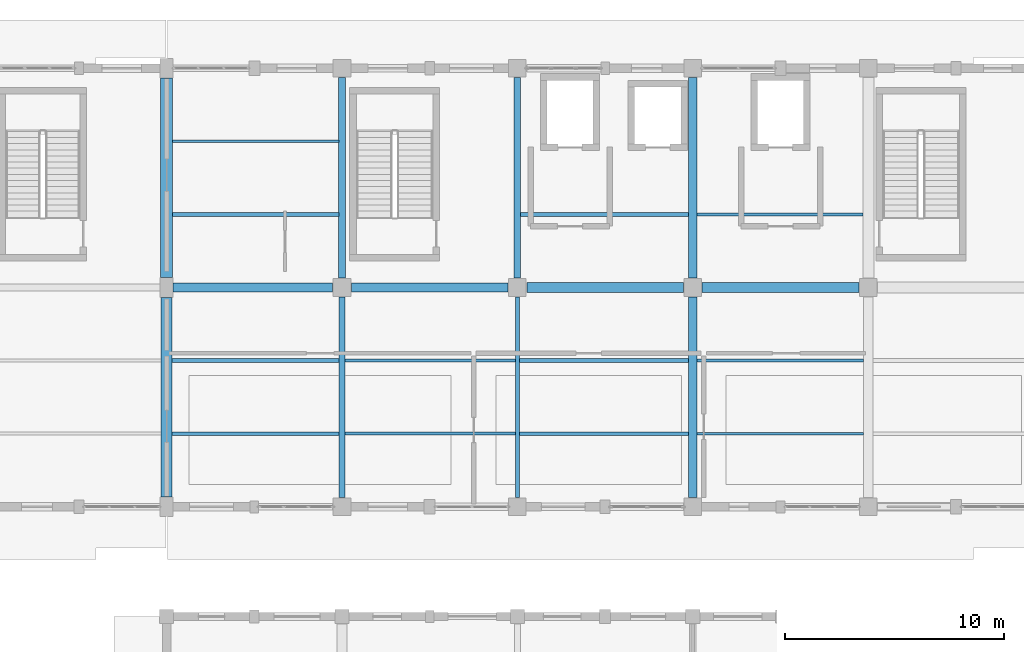
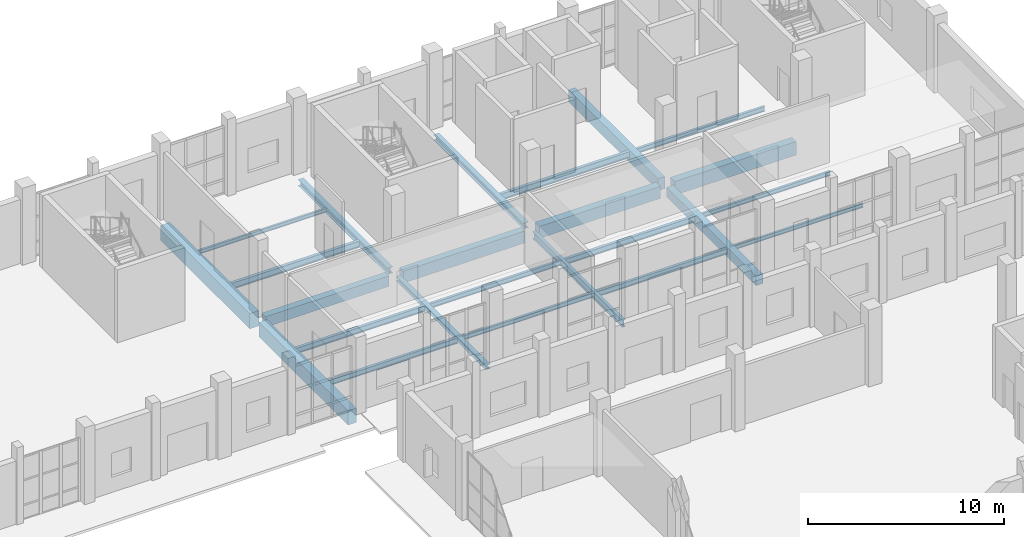
# One storey, part 97 of 156: 24 beams.
"""IFC4 building model written with IfcOpenShell, lengths in metres."""

from ifc_helpers import new_model, si_unit, direction, frame, origin, origin_2d, place, context, subcontext, project, spatial, rectangle, i_section, extrude, material, material_profile, profile_set, type_object, element, save


model = new_model("IFC4")

# Units and contexts
model_context = context("Model", 3, precision=1e-05, world=origin(), true_north=direction((0.0, 1.0)))
body_context = subcontext(model_context, "Body", "Model", "MODEL_VIEW")
ifc_project = project(units=[si_unit("LENGTHUNIT", "METRE"), si_unit("AREAUNIT", "SQUARE_METRE"), si_unit("VOLUMEUNIT", "CUBIC_METRE"), si_unit("PLANEANGLEUNIT", "RADIAN"), si_unit("MASSUNIT", "GRAM", prefix="KILO")], contexts=[model_context])

# Site, building, storey
site_placement = place(None, origin())
site = spatial("IfcSite", under=ifc_project, at=site_placement, CompositionType="ELEMENT")
building_placement = place(site_placement, origin())
building = spatial("IfcBuilding", under=site, at=building_placement, Name="Luwemba Playhouse", CompositionType="ELEMENT")
storey_placement = place(building_placement, origin())
storey = spatial("IfcBuildingStorey", under=building, at=storey_placement, Name="L00", CompositionType="ELEMENT", Elevation=0.0)

# Beams
ifc_material_1 = material(Name="Concrete C40/50", Category="concrete")
ifc_material_profile_1 = material_profile(ifc_material_1, rectangle(XDim=0.39990234375, YDim=0.60009765625, at=origin_2d()))
ifc_profile_set_1 = profile_set([ifc_material_profile_1], Name="Concrete C40/50")
beam_type_1 = type_object("IfcBeamType", Name="BM-RB01", PredefinedType="BEAM", material=ifc_profile_set_1)
beam_1_placement = place(storey_placement, frame((156.0, 95.425048828125, -0.60009765625), z_axis=(0.0, 1.0, 0.0), x_axis=(-1.0, 0.0, 0.0)))
element("IfcBeam", 1, at=beam_1_placement, inside=storey, type_object=beam_type_1, Name="L00 transverse girder 0333", PredefinedType="BEAM", context=body_context, shape_type="SweptSolid", body=[
    extrude(rectangle(XDim=0.39990234375, YDim=0.60009765625, at=origin_2d()), origin(), (0.0, 0.0, 1.0), 9.14990234375),
])
ifc_material_profile_2 = material_profile(ifc_material_1, rectangle(XDim=0.39990234375, YDim=0.64990234375, at=origin_2d()))
ifc_profile_set_2 = profile_set([ifc_material_profile_2], Name="Concrete C40/50")
beam_type_2 = type_object("IfcBeamType", Name="BM-RB02", PredefinedType="BEAM", material=ifc_profile_set_2)
beam_2_placement = place(storey_placement, frame((132.300048828125, 105.0, -0.625), z_axis=(1.0, 0.0, 0.0), x_axis=(0.0, 1.0, 0.0)))
element("IfcBeam", 2, at=beam_2_placement, inside=storey, type_object=beam_type_2, Name="L00 grid girder 0308", PredefinedType="BEAM", context=body_context, shape_type="SweptSolid", body=[
    extrude(rectangle(XDim=0.39990234375, YDim=0.64990234375, at=origin_2d()), origin(), (0.0, 0.0, 1.0), 7.27490234375),
])
ifc_material_profile_3 = material_profile(ifc_material_1, rectangle(XDim=0.39990234375, YDim=0.75, at=origin_2d()))
ifc_profile_set_3 = profile_set([ifc_material_profile_3], Name="Concrete C40/50")
beam_type_3 = type_object("IfcBeamType", Name="BM-RB03", PredefinedType="BEAM", material=ifc_profile_set_3)
beam_3_placement = place(storey_placement, frame((140.425048828125, 105.0, -0.675048828125), z_axis=(1.0, 0.0, 0.0), x_axis=(0.0, 1.0, 0.0)))
element("IfcBeam", 3, at=beam_3_placement, inside=storey, type_object=beam_type_3, Name="L00 grid girder 0309", PredefinedType="BEAM", context=body_context, shape_type="SweptSolid", body=[
    extrude(rectangle(XDim=0.39990234375, YDim=0.75, at=origin_2d()), origin(), (0.0, 0.0, 1.0), 7.14990234375),
])
beam_4_placement = place(storey_placement, frame((156.0, 105.425048828125, -0.675048828125), z_axis=(0.0, 1.0, 0.0), x_axis=(-1.0, 0.0, 0.0)))
element("IfcBeam", 4, at=beam_4_placement, inside=storey, type_object=beam_type_3, Name="L00 transverse girder 0334", PredefinedType="BEAM", context=body_context, shape_type="SweptSolid", body=[
    extrude(rectangle(XDim=0.39990234375, YDim=0.75, at=origin_2d()), origin(), (0.0, 0.0, 1.0), 9.14990234375),
])
ifc_material_profile_4 = material_profile(ifc_material_1, rectangle(XDim=0.449951171875, YDim=0.75, at=origin_2d()))
ifc_profile_set_4 = profile_set([ifc_material_profile_4], Name="Concrete C40/50")
beam_type_4 = type_object("IfcBeamType", Name="BM-RB04", PredefinedType="BEAM", material=ifc_profile_set_4)
beam_5_placement = place(storey_placement, frame((148.425048828125, 105.0, -0.675048828125), z_axis=(1.0, 0.0, 0.0), x_axis=(0.0, 1.0, 0.0)))
element("IfcBeam", 5, at=beam_5_placement, inside=storey, type_object=beam_type_4, Name="L00 grid girder 0310", PredefinedType="BEAM", context=body_context, shape_type="SweptSolid", body=[
    extrude(rectangle(XDim=0.449951171875, YDim=0.75, at=origin_2d()), origin(), (0.0, 0.0, 1.0), 7.14990234375),
])
ifc_material_profile_5 = material_profile(ifc_material_1, rectangle(XDim=0.449951171875, YDim=0.85009765625, at=origin_2d()))
ifc_profile_set_5 = profile_set([ifc_material_profile_5], Name="Concrete C40/50")
beam_type_5 = type_object("IfcBeamType", Name="BM-RB05", PredefinedType="BEAM", material=ifc_profile_set_5)
beam_6_placement = place(storey_placement, frame((156.425048828125, 105.0, -0.72509765625), z_axis=(1.0, 0.0, 0.0), x_axis=(0.0, 1.0, 0.0)))
element("IfcBeam", 6, at=beam_6_placement, inside=storey, type_object=beam_type_5, Name="L00 grid girder 0311", PredefinedType="BEAM", context=body_context, shape_type="SweptSolid", body=[
    extrude(rectangle(XDim=0.449951171875, YDim=0.85009765625, at=origin_2d()), origin(), (0.0, 0.0, 1.0), 7.14990234375),
])
ifc_material_profile_6 = material_profile(ifc_material_1, rectangle(XDim=0.5, YDim=0.89990234375, at=origin_2d()))
ifc_profile_set_6 = profile_set([ifc_material_profile_6], Name="Concrete C40/50")
beam_type_6 = type_object("IfcBeamType", Name="BM-RB07", PredefinedType="BEAM", material=ifc_profile_set_6)
beam_7_placement = place(storey_placement, frame((132.0, 95.449951171875, -0.75), z_axis=(0.0, 1.0, 0.0), x_axis=(-1.0, 0.0, 0.0)))
element("IfcBeam", 7, at=beam_7_placement, inside=storey, type_object=beam_type_6, Name="L00 transverse girder 0327", PredefinedType="BEAM", context=body_context, shape_type="SweptSolid", body=[
    extrude(rectangle(XDim=0.5, YDim=0.89990234375, at=origin_2d()), origin(), (0.0, 0.0, 1.0), 9.10009765625),
])
ifc_material_profile_7 = material_profile(ifc_material_1, rectangle(XDim=0.550048828125, YDim=0.949951171875, at=origin_2d()))
ifc_profile_set_7 = profile_set([ifc_material_profile_7], Name="Concrete C40/50")
beam_type_7 = type_object("IfcBeamType", Name="BM-RB08", PredefinedType="BEAM", material=ifc_profile_set_7)
beam_8_placement = place(storey_placement, frame((132.0, 105.449951171875, -0.77490234375), z_axis=(0.0, 1.0, 0.0), x_axis=(-1.0, 0.0, 0.0)))
element("IfcBeam", 8, at=beam_8_placement, inside=storey, type_object=beam_type_7, Name="L00 transverse girder 0328", PredefinedType="BEAM", context=body_context, shape_type="SweptSolid", body=[
    extrude(rectangle(XDim=0.550048828125, YDim=0.949951171875, at=origin_2d()), origin(), (0.0, 0.0, 1.0), 9.10009765625),
])
ifc_material_2 = material(Name="Steel S355", Category="steel")
ifc_material_profile_8 = material_profile(ifc_material_2, i_section(OverallWidth=0.280029296875, OverallDepth=0.27001953125, WebThickness=0.008056640625, FlangeThickness=0.012939453125, FilletRadius=0.02392578125, at=origin_2d()))
ifc_profile_set_8 = profile_set([ifc_material_profile_8], Name="Steel S355")
beam_type_8 = type_object("IfcBeamType", Name="BM-SB02", PredefinedType="BEAM", material=ifc_profile_set_8)
beam_9_placement = place(storey_placement, frame((140.0, 95.425048828125, -0.43505859375), z_axis=(0.0, 1.0, 0.0), x_axis=(-1.0, 0.0, 0.0)))
element("IfcBeam", 9, at=beam_9_placement, inside=storey, type_object=beam_type_8, Name="L00 transverse girder 0329", PredefinedType="BEAM", context=body_context, shape_type="SweptSolid", body=[
    extrude(i_section(OverallWidth=0.280029296875, OverallDepth=0.27001953125, WebThickness=0.008056640625, FlangeThickness=0.012939453125, FilletRadius=0.02392578125, at=origin_2d()), origin(), (0.0, 0.0, 1.0), 9.14990234375),
])
ifc_material_profile_9 = material_profile(ifc_material_2, i_section(OverallWidth=0.300048828125, OverallDepth=0.389892578125, WebThickness=0.010986328125, FlangeThickness=0.01904296875, FilletRadius=0.027099609375, at=origin_2d()))
ifc_profile_set_9 = profile_set([ifc_material_profile_9], Name="Steel S355")
beam_type_9 = type_object("IfcBeamType", Name="BM-SB05", PredefinedType="BEAM", material=ifc_profile_set_9)
beam_10_placement = place(storey_placement, frame((140.0, 105.425048828125, -0.4951171875), z_axis=(0.0, 1.0, 0.0), x_axis=(-1.0, 0.0, 0.0)))
element("IfcBeam", 10, at=beam_10_placement, inside=storey, type_object=beam_type_9, Name="L00 transverse girder 0330", PredefinedType="BEAM", context=body_context, shape_type="SweptSolid", body=[
    extrude(i_section(OverallWidth=0.300048828125, OverallDepth=0.389892578125, WebThickness=0.010986328125, FlangeThickness=0.01904296875, FilletRadius=0.027099609375, at=origin_2d()), origin(), (0.0, 0.0, 1.0), 9.14990234375),
])
ifc_material_profile_10 = material_profile(ifc_material_2, i_section(OverallWidth=0.18994140625, OverallDepth=0.449951171875, WebThickness=0.009521484375, FlangeThickness=0.0146484375, FilletRadius=0.02099609375, at=origin_2d()))
ifc_profile_set_10 = profile_set([ifc_material_profile_10], Name="Steel S355")
beam_type_10 = type_object("IfcBeamType", Name="BM-SB06", PredefinedType="BEAM", material=ifc_profile_set_10)
beam_11_placement = place(storey_placement, frame((148.0, 95.425048828125, -0.52490234375), z_axis=(0.0, 1.0, 0.0), x_axis=(-1.0, 0.0, 0.0)))
element("IfcBeam", 11, at=beam_11_placement, inside=storey, type_object=beam_type_10, Name="L00 transverse girder 0331", PredefinedType="BEAM", context=body_context, shape_type="SweptSolid", body=[
    extrude(i_section(OverallWidth=0.18994140625, OverallDepth=0.449951171875, WebThickness=0.009521484375, FlangeThickness=0.0146484375, FilletRadius=0.02099609375, at=origin_2d()), origin(), (0.0, 0.0, 1.0), 9.14990234375),
])
ifc_material_profile_11 = material_profile(ifc_material_2, i_section(OverallWidth=0.300048828125, OverallDepth=0.360107421875, WebThickness=0.012451171875, FlangeThickness=0.0224609375, FilletRadius=0.027099609375, at=origin_2d()))
ifc_profile_set_11 = profile_set([ifc_material_profile_11], Name="Steel S355")
beam_type_11 = type_object("IfcBeamType", Name="BM-SB09", PredefinedType="BEAM", material=ifc_profile_set_11)
beam_12_placement = place(storey_placement, frame((148.0, 105.425048828125, -0.47998046875), z_axis=(0.0, 1.0, 0.0), x_axis=(-1.0, 0.0, 0.0)))
element("IfcBeam", 12, at=beam_12_placement, inside=storey, type_object=beam_type_11, Name="L00 transverse girder 0332", PredefinedType="BEAM", context=body_context, shape_type="SweptSolid", body=[
    extrude(i_section(OverallWidth=0.300048828125, OverallDepth=0.360107421875, WebThickness=0.012451171875, FlangeThickness=0.0224609375, FilletRadius=0.027099609375, at=origin_2d()), origin(), (0.0, 0.0, 1.0), 9.14990234375),
])
ifc_material_profile_12 = material_profile(ifc_material_2, i_section(OverallWidth=0.1201171875, OverallDepth=0.239990234375, WebThickness=0.006103515625, FlangeThickness=0.009765625, FilletRadius=0.014892578125, at=origin_2d()))
ifc_profile_set_12 = profile_set([ifc_material_profile_12], Name="Steel S355")
beam_type_12 = type_object("IfcBeamType", Name="BM-SJ03", PredefinedType="JOIST", material=ifc_profile_set_12)
for number, where, z_axis, x_axis, name in (
    (13, (132.27099609375, 111.666748046875, -0.419921875), (1.0, 0.0, 0.0), (0.0, 1.0, 0.0), "L00 composite floor joist 0227"),
    (14, (156.196044921875, 98.333251953125, -0.419921875), (1.0, 0.0, 0.0), (0.0, 1.0, 0.0), "L00 composite floor joist 0233"),
):
    element("IfcBeam", number, at=place(storey_placement, frame(where, z_axis=z_axis, x_axis=x_axis)), inside=storey, type_object=beam_type_12, Name=name, PredefinedType="JOIST", context=body_context, shape_type="SweptSolid", body=[
        extrude(i_section(OverallWidth=0.1201171875, OverallDepth=0.239990234375, WebThickness=0.006103515625, FlangeThickness=0.009765625, FilletRadius=0.014892578125, at=origin_2d()), origin(), (0.0, 0.0, 1.0), 7.5830078125),
    ])
ifc_material_profile_13 = material_profile(ifc_material_2, i_section(OverallWidth=0.135009765625, OverallDepth=0.27001953125, WebThickness=0.006591796875, FlangeThickness=0.01025390625, FilletRadius=0.014892578125, at=origin_2d()))
ifc_profile_set_13 = profile_set([ifc_material_profile_13], Name="Steel S355")
beam_type_13 = type_object("IfcBeamType", Name="BM-SJ04", PredefinedType="JOIST", material=ifc_profile_set_13)
beam_13_placement = place(storey_placement, frame((140.135986328125, 98.333251953125, -0.43505859375), z_axis=(1.0, 0.0, 0.0), x_axis=(0.0, 1.0, 0.0)))
element("IfcBeam", 15, at=beam_13_placement, inside=storey, type_object=beam_type_13, Name="L00 composite floor joist 0228", PredefinedType="JOIST", context=body_context, shape_type="SweptSolid", body=[
    extrude(i_section(OverallWidth=0.135009765625, OverallDepth=0.27001953125, WebThickness=0.006591796875, FlangeThickness=0.01025390625, FilletRadius=0.014892578125, at=origin_2d()), origin(), (0.0, 0.0, 1.0), 7.77294921875),
])
beam_14_placement = place(storey_placement, frame((156.196044921875, 101.666748046875, -0.43505859375), z_axis=(1.0, 0.0, 0.0), x_axis=(0.0, 1.0, 0.0)))
element("IfcBeam", 16, at=beam_14_placement, inside=storey, type_object=beam_type_13, Name="L00 composite floor joist 0234", PredefinedType="JOIST", context=body_context, shape_type="SweptSolid", body=[
    extrude(i_section(OverallWidth=0.135009765625, OverallDepth=0.27001953125, WebThickness=0.006591796875, FlangeThickness=0.01025390625, FilletRadius=0.014892578125, at=origin_2d()), origin(), (0.0, 0.0, 1.0), 7.5830078125),
])
ifc_material_profile_14 = material_profile(ifc_material_2, i_section(OverallWidth=0.14990234375, OverallDepth=0.300048828125, WebThickness=0.007080078125, FlangeThickness=0.0107421875, FilletRadius=0.014892578125, at=origin_2d()))
ifc_profile_set_14 = profile_set([ifc_material_profile_14], Name="Steel S355")
beam_type_14 = type_object("IfcBeamType", Name="BM-SJ05", PredefinedType="JOIST", material=ifc_profile_set_14)
beam_15_placement = place(storey_placement, frame((140.135986328125, 101.666748046875, -0.449951171875), z_axis=(1.0, 0.0, 0.0), x_axis=(0.0, 1.0, 0.0)))
element("IfcBeam", 17, at=beam_15_placement, inside=storey, type_object=beam_type_14, Name="L00 composite floor joist 0229", PredefinedType="JOIST", context=body_context, shape_type="SweptSolid", body=[
    extrude(i_section(OverallWidth=0.14990234375, OverallDepth=0.300048828125, WebThickness=0.007080078125, FlangeThickness=0.0107421875, FilletRadius=0.014892578125, at=origin_2d()), origin(), (0.0, 0.0, 1.0), 7.77294921875),
])
beam_16_placement = place(storey_placement, frame((156.196044921875, 108.333251953125, -0.449951171875), z_axis=(1.0, 0.0, 0.0), x_axis=(0.0, 1.0, 0.0)))
element("IfcBeam", 18, at=beam_16_placement, inside=storey, type_object=beam_type_14, Name="L00 composite floor joist 0235", PredefinedType="JOIST", context=body_context, shape_type="SweptSolid", body=[
    extrude(i_section(OverallWidth=0.14990234375, OverallDepth=0.300048828125, WebThickness=0.007080078125, FlangeThickness=0.0107421875, FilletRadius=0.014892578125, at=origin_2d()), origin(), (0.0, 0.0, 1.0), 7.557861328125),
])
ifc_material_profile_15 = material_profile(ifc_material_2, i_section(OverallWidth=0.159912109375, OverallDepth=0.330078125, WebThickness=0.007568359375, FlangeThickness=0.011474609375, FilletRadius=0.01806640625, at=origin_2d()))
ifc_profile_set_15 = profile_set([ifc_material_profile_15], Name="Steel S355")
beam_type_15 = type_object("IfcBeamType", Name="BM-SJ06", PredefinedType="JOIST", material=ifc_profile_set_15)
beam_17_placement = place(storey_placement, frame((132.24609375, 98.333251953125, -0.465087890625), z_axis=(1.0, 0.0, 0.0), x_axis=(0.0, 1.0, 0.0)))
element("IfcBeam", 19, at=beam_17_placement, inside=storey, type_object=beam_type_15, Name="L00 composite floor joist 0224", PredefinedType="JOIST", context=body_context, shape_type="SweptSolid", body=[
    extrude(i_section(OverallWidth=0.159912109375, OverallDepth=0.330078125, WebThickness=0.007568359375, FlangeThickness=0.011474609375, FilletRadius=0.01806640625, at=origin_2d()), origin(), (0.0, 0.0, 1.0), 7.617919921875),
])
beam_18_placement = place(storey_placement, frame((148.091064453125, 98.333251953125, -0.465087890625), z_axis=(1.0, 0.0, 0.0), x_axis=(0.0, 1.0, 0.0)))
element("IfcBeam", 20, at=beam_18_placement, inside=storey, type_object=beam_type_15, Name="L00 composite floor joist 0230", PredefinedType="JOIST", context=body_context, shape_type="SweptSolid", body=[
    extrude(i_section(OverallWidth=0.159912109375, OverallDepth=0.330078125, WebThickness=0.007568359375, FlangeThickness=0.011474609375, FilletRadius=0.01806640625, at=origin_2d()), origin(), (0.0, 0.0, 1.0), 7.712890625),
])
ifc_material_profile_16 = material_profile(ifc_material_2, i_section(OverallWidth=0.169921875, OverallDepth=0.360107421875, WebThickness=0.008056640625, FlangeThickness=0.0126953125, FilletRadius=0.01806640625, at=origin_2d()))
ifc_profile_set_16 = profile_set([ifc_material_profile_16], Name="Steel S355")
beam_type_16 = type_object("IfcBeamType", Name="BM-SJ07", PredefinedType="JOIST", material=ifc_profile_set_16)
beam_19_placement = place(storey_placement, frame((132.24609375, 101.666748046875, -0.47998046875), z_axis=(1.0, 0.0, 0.0), x_axis=(0.0, 1.0, 0.0)))
element("IfcBeam", 21, at=beam_19_placement, inside=storey, type_object=beam_type_16, Name="L00 composite floor joist 0225", PredefinedType="JOIST", context=body_context, shape_type="SweptSolid", body=[
    extrude(i_section(OverallWidth=0.169921875, OverallDepth=0.360107421875, WebThickness=0.008056640625, FlangeThickness=0.0126953125, FilletRadius=0.01806640625, at=origin_2d()), origin(), (0.0, 0.0, 1.0), 7.617919921875),
])
beam_20_placement = place(storey_placement, frame((148.091064453125, 101.666748046875, -0.47998046875), z_axis=(1.0, 0.0, 0.0), x_axis=(0.0, 1.0, 0.0)))
element("IfcBeam", 22, at=beam_20_placement, inside=storey, type_object=beam_type_16, Name="L00 composite floor joist 0231", PredefinedType="JOIST", context=body_context, shape_type="SweptSolid", body=[
    extrude(i_section(OverallWidth=0.169921875, OverallDepth=0.360107421875, WebThickness=0.008056640625, FlangeThickness=0.0126953125, FilletRadius=0.01806640625, at=origin_2d()), origin(), (0.0, 0.0, 1.0), 7.712890625),
])
ifc_material_profile_17 = material_profile(ifc_material_2, i_section(OverallWidth=0.179931640625, OverallDepth=0.39990234375, WebThickness=0.008544921875, FlangeThickness=0.013427734375, FilletRadius=0.02099609375, at=origin_2d()))
ifc_profile_set_17 = profile_set([ifc_material_profile_17], Name="Steel S355")
beam_type_17 = type_object("IfcBeamType", Name="BM-SJ08", PredefinedType="JOIST", material=ifc_profile_set_17)
beam_21_placement = place(storey_placement, frame((132.27099609375, 108.333251953125, -0.5), z_axis=(1.0, 0.0, 0.0), x_axis=(0.0, 1.0, 0.0)))
element("IfcBeam", 23, at=beam_21_placement, inside=storey, type_object=beam_type_17, Name="L00 composite floor joist 0226", PredefinedType="JOIST", context=body_context, shape_type="SweptSolid", body=[
    extrude(i_section(OverallWidth=0.179931640625, OverallDepth=0.39990234375, WebThickness=0.008544921875, FlangeThickness=0.013427734375, FilletRadius=0.02099609375, at=origin_2d()), origin(), (0.0, 0.0, 1.0), 7.5830078125),
])
beam_22_placement = place(storey_placement, frame((148.14599609375, 108.333251953125, -0.5), z_axis=(1.0, 0.0, 0.0), x_axis=(0.0, 1.0, 0.0)))
element("IfcBeam", 24, at=beam_22_placement, inside=storey, type_object=beam_type_17, Name="L00 composite floor joist 0232", PredefinedType="JOIST", context=body_context, shape_type="SweptSolid", body=[
    extrude(i_section(OverallWidth=0.179931640625, OverallDepth=0.39990234375, WebThickness=0.008544921875, FlangeThickness=0.013427734375, FilletRadius=0.02099609375, at=origin_2d()), origin(), (0.0, 0.0, 1.0), 7.657958984375),
])

save(model, "model.ifc")
